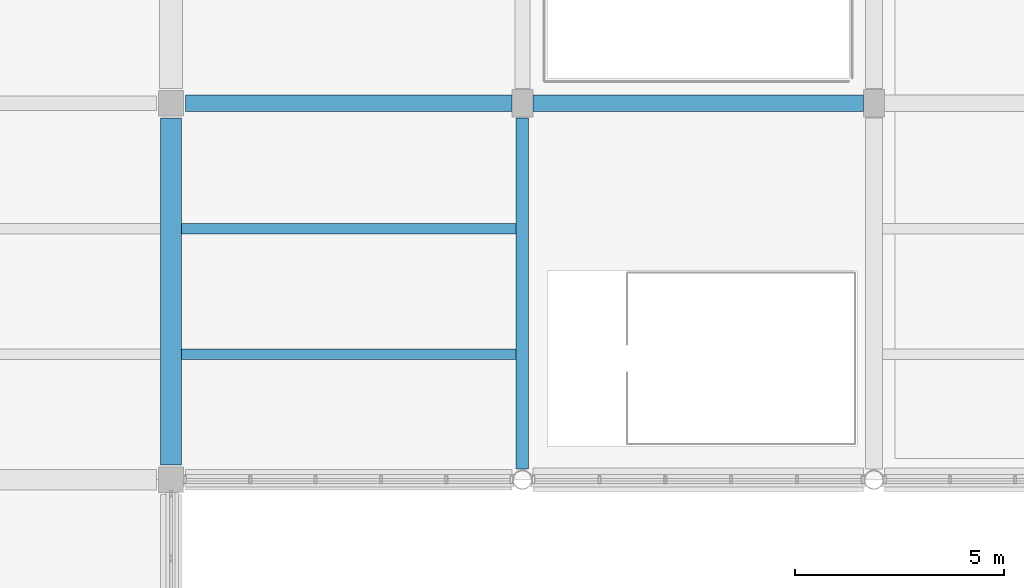
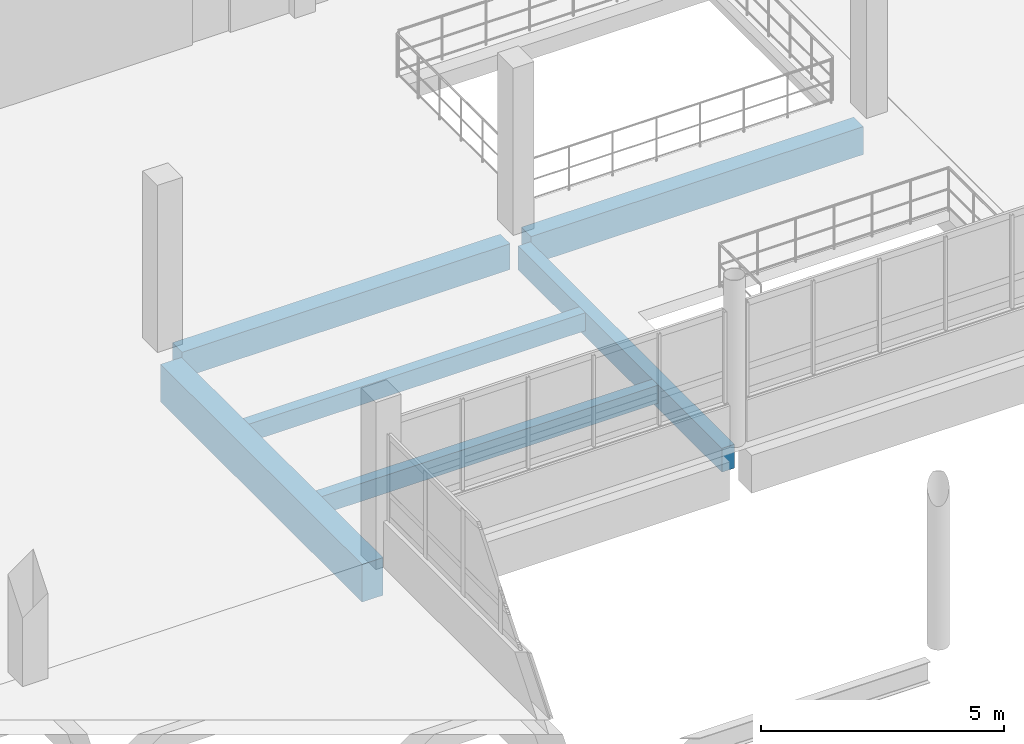
# One storey, part 51 of 101: 6 beams.
"""IFC4 building model written with IfcOpenShell, lengths in metres."""

from ifc_helpers import new_model, si_unit, direction, frame, origin, origin_2d, place, context, subcontext, project, spatial, rectangle, extrude, material, material_profile, profile_set, type_object, element, save


model = new_model("IFC4")

# Units and contexts
model_context = context("Model", 3, precision=1e-05, world=origin(), true_north=direction((0.0, 1.0)))
body_context = subcontext(model_context, "Body", "Model", "MODEL_VIEW")
ifc_project = project(units=[si_unit("LENGTHUNIT", "METRE"), si_unit("AREAUNIT", "SQUARE_METRE"), si_unit("VOLUMEUNIT", "CUBIC_METRE"), si_unit("PLANEANGLEUNIT", "RADIAN"), si_unit("MASSUNIT", "GRAM", prefix="KILO")], contexts=[model_context])

# Site, building, storey
site_placement = place(None, origin())
site = spatial("IfcSite", under=ifc_project, at=site_placement, CompositionType="ELEMENT")
building_placement = place(site_placement, origin())
building = spatial("IfcBuilding", under=site, at=building_placement, Name="Vireocrest Preparatory School", CompositionType="ELEMENT")
storey_placement = place(building_placement, frame((0.0, 0.0, 4.800048828125)))
storey = spatial("IfcBuildingStorey", under=building, at=storey_placement, Name="L01", CompositionType="ELEMENT", Elevation=4.800048828125)

# Beams
ifc_material = material(Name="Concrete 40 MPa", Category="concrete")
ifc_material_profile_1 = material_profile(ifc_material, rectangle(XDim=0.5, YDim=0.949951171875, at=origin_2d()), Name="RC 500x950")
ifc_profile_set_1 = profile_set([ifc_material_profile_1], Name="Concrete 40 MPa")
beam_type_1 = type_object("IfcBeamType", Name="RC Basement Ceiling Girder 500x950", PredefinedType="BEAM", material=ifc_profile_set_1)
beam_1_placement = place(storey_placement, frame((67.199951171875, 86.14990234375, -0.755126953125), z_axis=(0.0, 1.0, 0.0), x_axis=(-1.0, 0.0, 0.0)))
element("IfcBeam", 1, at=beam_1_placement, inside=storey, type_object=beam_type_1, Name="Primary Girder B16 L01-0423", PredefinedType="BEAM", context=body_context, shape_type="SweptSolid", body=[
    extrude(rectangle(XDim=0.5, YDim=0.949951171875, at=origin_2d()), origin(), (0.0, 0.0, 1.0), 8.300048828125),
])
ifc_material_profile_2 = material_profile(ifc_material, rectangle(XDim=0.300048828125, YDim=0.60009765625, at=origin_2d()), Name="RC 300x600")
ifc_profile_set_2 = profile_set([ifc_material_profile_2], Name="Concrete 40 MPa")
beam_type_2 = type_object("IfcBeamType", Name="RC Classroom Beam 300x600", PredefinedType="BEAM", material=ifc_profile_set_2)
beam_2_placement = place(storey_placement, frame((75.60009765625, 86.053955078125, -0.580078125), z_axis=(0.0, 1.0, 0.0), x_axis=(-1.0, 0.0, 0.0)))
element("IfcBeam", 2, at=beam_2_placement, inside=storey, type_object=beam_type_2, Name="Primary Girder B03 L01-0428", PredefinedType="BEAM", context=body_context, shape_type="SweptSolid", body=[
    extrude(rectangle(XDim=0.300048828125, YDim=0.60009765625, at=origin_2d()), origin(), (0.0, 0.0, 1.0), 8.39599609375),
])
ifc_material_profile_3 = material_profile(ifc_material, rectangle(XDim=0.39990234375, YDim=0.699951171875, at=origin_2d()), Name="RC 400x700")
ifc_profile_set_3 = profile_set([ifc_material_profile_3], Name="Concrete 40 MPa")
beam_type_3 = type_object("IfcBeamType", Name="RC Corridor Girder 400x700", PredefinedType="BEAM", material=ifc_profile_set_3)
beam_3_placement = place(storey_placement, frame((75.85009765625, 94.800048828125, -0.630126953125), z_axis=(1.0, 0.0, 0.0), x_axis=(0.0, 1.0, 0.0)))
element("IfcBeam", 3, at=beam_3_placement, inside=storey, type_object=beam_type_3, Name="Primary Girder B08 L01-0348", PredefinedType="BEAM", context=body_context, shape_type="SweptSolid", body=[
    extrude(rectangle(XDim=0.39990234375, YDim=0.699951171875, at=origin_2d()), origin(), (0.0, 0.0, 1.0), 7.89990234375),
])
ifc_material_profile_4 = material_profile(ifc_material, rectangle(XDim=0.39990234375, YDim=0.64990234375, at=origin_2d()), Name="RC 400x650")
ifc_profile_set_4 = profile_set([ifc_material_profile_4], Name="Concrete 40 MPa")
beam_type_4 = type_object("IfcBeamType", Name="RC Laboratory Girder 400x650", PredefinedType="BEAM", material=ifc_profile_set_4)
beam_4_placement = place(storey_placement, frame((67.550048828125, 94.800048828125, -0.60498046875), z_axis=(1.0, 0.0, 0.0), x_axis=(0.0, 1.0, 0.0)))
element("IfcBeam", 4, at=beam_4_placement, inside=storey, type_object=beam_type_4, Name="Primary Girder B07 L01-0347", PredefinedType="BEAM", context=body_context, shape_type="SweptSolid", body=[
    extrude(rectangle(XDim=0.39990234375, YDim=0.64990234375, at=origin_2d()), origin(), (0.0, 0.0, 1.0), 7.800048828125),
])
ifc_material_profile_5 = material_profile(ifc_material, rectangle(XDim=0.25, YDim=0.449951171875, at=origin_2d()), Name="RC 250x450")
ifc_profile_set_5 = profile_set([ifc_material_profile_5], Name="Concrete 40 MPa")
beam_type_5 = type_object("IfcBeamType", Name="RC Secondary Floor Joist 250x450", PredefinedType="JOIST", material=ifc_profile_set_5)
for number, where, z_axis, x_axis, name in (
    (5, (67.449951171875, 88.800048828125, -0.505126953125), (1.0, 0.0, 0.0), (0.0, 1.0, 0.0), "Secondary Joist J01 L01-0568"),
    (6, (67.449951171875, 91.800048828125, -0.505126953125), (1.0, 0.0, 0.0), (0.0, 1.0, 0.0), "Secondary Joist J01 L01-0569"),
):
    element("IfcBeam", number, at=place(storey_placement, frame(where, z_axis=z_axis, x_axis=x_axis)), inside=storey, type_object=beam_type_5, Name=name, PredefinedType="JOIST", context=body_context, shape_type="SweptSolid", body=[
        extrude(rectangle(XDim=0.25, YDim=0.449951171875, at=origin_2d()), origin(), (0.0, 0.0, 1.0), 8.0),
    ])

save(model, "model.ifc")
